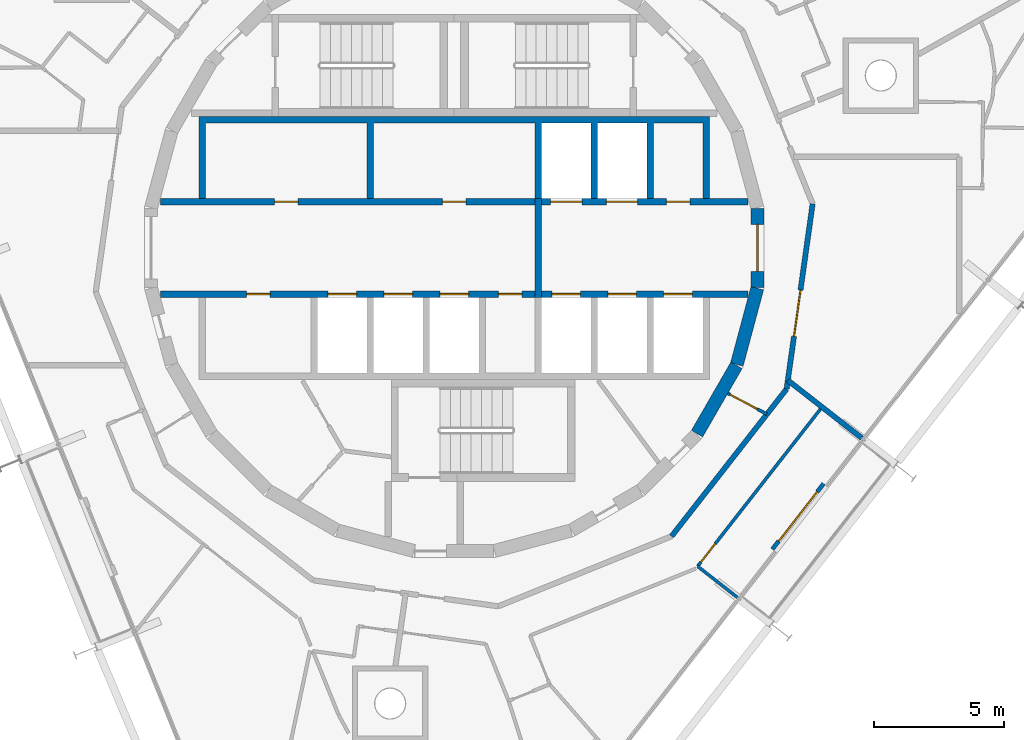
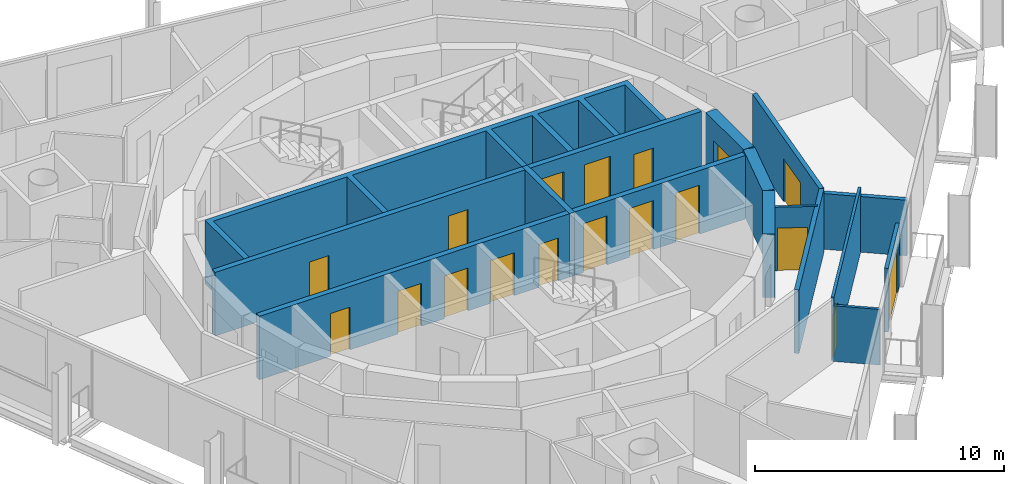
# One storey, part 11 of 15: 18 doors, 16 walls, 18 openings.
"""IFC4 building model written with IfcOpenShell, lengths in metres."""

from ifc_helpers import new_model, si_unit, direction, frame, frame_2d, origin, place, context, subcontext, project, spatial, polyline, rectangle, outline, extrude, material, layer, layer_set, type_object, element, fill, save


model = new_model("IFC4")

# Units and contexts
model_context = context("Model", 3, precision=1e-05, world=origin(), true_north=direction((0.0, 1.0)))
body_context = subcontext(model_context, "Body", "Model", "MODEL_VIEW")
ifc_project = project(units=[si_unit("LENGTHUNIT", "METRE"), si_unit("AREAUNIT", "SQUARE_METRE"), si_unit("VOLUMEUNIT", "CUBIC_METRE"), si_unit("PLANEANGLEUNIT", "RADIAN"), si_unit("MASSUNIT", "GRAM", prefix="KILO")], contexts=[model_context])

# Site, building, storey
site_placement = place(None, origin())
site = spatial("IfcSite", under=ifc_project, at=site_placement, CompositionType="ELEMENT")
building_placement = place(site_placement, origin())
building = spatial("IfcBuilding", under=site, at=building_placement, Name="Spindle Arch Residences", CompositionType="ELEMENT")
storey_placement = place(building_placement, frame((0.0, 0.0, 336.5)))
storey = spatial("IfcBuildingStorey", under=building, at=storey_placement, Name="L86", CompositionType="ELEMENT", Elevation=336.5)

# Walls
ifc_material_1 = material(Name="Concrete C50/60", Category="concrete")
ifc_layer_1 = layer(ifc_material_1, 0.5)
ifc_layer_set_1 = layer_set([ifc_layer_1], Name="Core outline wall 500")
wall_type_1 = type_object("IfcWallType", Name="Core outline wall 500", PredefinedType="SHEAR", material=ifc_layer_set_1)
for number, where, z_axis, x_axis, name in (
    (1, (9.32861328125, -7.13671875, 0.0), (0.0, 0.0, 1.0), (0.500087131594, 0.865975092491, 0.0), "Core outline wall 4"),
    (2, (10.858154296875, -4.479248046875, 0.0), (0.0, 0.0, 1.0), (0.258734743916, 0.965948410781, 0.0), "Core outline wall 5"),
):
    element("IfcWall", number, at=place(storey_placement, frame(where, z_axis=z_axis, x_axis=x_axis)), inside=storey, type_object=wall_type_1, Name=name, PredefinedType="SHEAR", context=body_context, shape_type="SweptSolid", body=[
        extrude(rectangle(XDim=3.03271484375, YDim=0.5, at=frame_2d((1.516357421875, 0.0))), origin(), (0.0, 0.0, 1.0), 3.1201171875),
    ])

# Wall, opening, door
wall_1_placement = place(storey_placement, frame((11.647216796875, -1.516357421875, 0.0), z_axis=(0.0, 0.0, 1.0), x_axis=(0.0, 1.0, 0.0)))
wall_1 = element("IfcWall", 3, at=wall_1_placement, inside=storey, type_object=wall_type_1, Name="Core outline wall 6", PredefinedType="SHEAR", context=body_context, shape_type="SweptSolid", body=[
    extrude(rectangle(XDim=3.03271484375, YDim=0.5, at=frame_2d((1.516357421875, 0.0))), origin(), (0.0, 0.0, 1.0), 3.1201171875),
])
opening_1_placement = place(wall_1_placement, frame((0.6162109375, 0.0, 0.0)))
opening_1 = element("IfcOpeningElement", 4, at=opening_1_placement, cuts=wall_1, Name="Opening R9A1-FE01", PredefinedType="OPENING", context=body_context, shape_type="SweptSolid", body=[
    extrude(rectangle(XDim=1.800048828125, YDim=2.10009765625, at=frame_2d((0.89990234375, 1.050048828125))), frame((0.0, 0.260009765625, 0.0), z_axis=(0.0, -1.0, 0.0), x_axis=(1.0, 0.0, 0.0)), (0.0, 0.0, 1.0), 0.52001953125),
])
ifc_material_2 = material(Name="Steel, fire-resisting door", Category="steel")
door_type_1 = type_object("IfcDoorType", Name="Fire-lift lobby door 1800x2100", OperationType="DOUBLE_DOOR_SINGLE_SWING", PredefinedType="DOOR", material=ifc_material_2)
door_1_placement = place(opening_1_placement, origin())
door_1 = element("IfcDoor", 5, at=door_1_placement, inside=storey, type_object=door_type_1, Name="Fire-lift lobby door R9A1-FE01", OperationType="DOUBLE_DOOR_SINGLE_SWING", OverallHeight=2.10009765625, OverallWidth=1.800048828125, PredefinedType="DOOR", context=body_context, shape_type="SweptSolid", body=[
    extrude(rectangle(XDim=1.800048828125, YDim=2.10009765625, at=frame_2d((0.89990234375, 1.050048828125))), frame((0.0, 0.02490234375, 0.0), z_axis=(0.0, -1.0, 0.0), x_axis=(1.0, 0.0, 0.0)), (0.0, 0.0, 1.0), 0.050048828125),
])
fill(opening_1, door_1)

ifc_material_3 = material(Name="Plasterboard on steel studs", Category="steel")
ifc_layer_2 = layer(ifc_material_3, 0.1201171875)
ifc_layer_set_2 = layer_set([ifc_layer_2], Name="Corridor division wall 120")
wall_type_2 = type_object("IfcWallType", Name="Corridor division wall 120", PredefinedType="PARTITIONING", material=ifc_layer_set_2)
wall_2_placement = place(storey_placement, frame((10.510986328125, -5.5888671875, 0.0), z_axis=(0.0, 0.0, 1.0), x_axis=(0.882959677414, -0.469448834337, 0.0)))
wall_2 = element("IfcWall", 6, at=wall_2_placement, inside=storey, type_object=wall_type_2, Name="Corridor division wall R9A1-W002", PredefinedType="PARTITIONING", context=body_context, shape_type="SweptSolid", body=[
    extrude(rectangle(XDim=1.7021484375, YDim=0.1201171875, at=frame_2d((0.85107421875, 0.0))), origin(), (0.0, 0.0, 1.0), 3.1201171875),
])
opening_2_placement = place(wall_2_placement, frame((0.10009765625, 0.0, 0.0)))
opening_2 = element("IfcOpeningElement", 7, at=opening_2_placement, cuts=wall_2, Name="Opening R9A1-CD02", PredefinedType="OPENING", context=body_context, shape_type="SweptSolid", body=[
    extrude(rectangle(XDim=1.199951171875, YDim=2.10009765625, at=frame_2d((0.60009765625, 1.050048828125))), frame((0.0, 0.070068359375, 0.0), z_axis=(0.0, -1.0, 0.0), x_axis=(1.0, 0.0, 0.0)), (0.0, 0.0, 1.0), 0.14013671875),
])
ifc_material_4 = material(Name="Steel, fire-resisting door", Category="steel")
door_type_2 = type_object("IfcDoorType", Name="Corridor division door 1200x2100", OperationType="NOTDEFINED", PredefinedType="DOOR", material=ifc_material_4)
door_2_placement = place(opening_2_placement, origin())
door_2 = element("IfcDoor", 8, at=door_2_placement, inside=storey, type_object=door_type_2, Name="Corridor division door R9A1-CD02", OperationType="DOUBLE_DOOR_SINGLE_SWING", OverallHeight=2.10009765625, OverallWidth=1.199951171875, PredefinedType="DOOR", context=body_context, shape_type="SweptSolid", body=[
    extrude(rectangle(XDim=1.199951171875, YDim=2.10009765625, at=frame_2d((0.60009765625, 1.050048828125))), frame((0.0, 0.02490234375, 0.0), z_axis=(0.0, -1.0, 0.0), x_axis=(1.0, 0.0, 0.0)), (0.0, 0.0, 1.0), 0.050048828125),
])
fill(opening_2, door_2)

# Wall
ifc_material_5 = material(Name="Calcium silicate block, plastered")
ifc_layer_3 = layer(ifc_material_5, 0.199951171875)
ifc_layer_set_3 = layer_set([ifc_layer_3], Name="Corridor wall 200")
wall_type_3 = type_object("IfcWallType", Name="Corridor wall 200", PredefinedType="STANDARD", material=ifc_layer_set_3)
wall_3_placement = place(storey_placement, frame((8.348876953125, -11.0791015625, 0.0), z_axis=(0.0, 0.0, 1.0), x_axis=(0.615669112324, 0.78800478687, 0.0)))
element("IfcWall", 9, at=wall_3_placement, inside=storey, type_object=wall_type_3, Name="Corridor wall R9A1-W008", PredefinedType="STANDARD", context=body_context, shape_type="SweptSolid", body=[
    extrude(rectangle(XDim=7.18115234375, YDim=0.199951171875, at=frame_2d((3.590576171875, 0.0))), origin(), (0.0, 0.0, 1.0), 3.1201171875),
])

# Wall, opening, door
ifc_material_6 = material(Name="Calcium silicate block, plastered")
ifc_layer_4 = layer(ifc_material_6, 0.199951171875)
ifc_layer_set_4 = layer_set([ifc_layer_4], Name="Fire-lift lobby bay wall 200")
wall_type_4 = type_object("IfcWallType", Name="Fire-lift lobby bay wall 200", PredefinedType="STANDARD", material=ifc_layer_set_4)
wall_4_placement = place(storey_placement, frame((12.77001953125, -5.42041015625, 0.0), z_axis=(0.0, 0.0, 1.0), x_axis=(0.139155334385, 0.990270565508, 0.0)))
wall_4 = element("IfcWall", 10, at=wall_4_placement, inside=storey, type_object=wall_type_4, Name="Fire-lift lobby bay wall R9A1-W004", PredefinedType="STANDARD", context=body_context, shape_type="SweptSolid", body=[
    extrude(rectangle(XDim=7.180908203125, YDim=0.199951171875, at=frame_2d((3.59033203125, 0.0))), origin(), (0.0, 0.0, 1.0), 3.1201171875),
])
opening_3_placement = place(wall_4_placement, frame((2.039306640625, 0.0, 0.0)))
opening_3 = element("IfcOpeningElement", 11, at=opening_3_placement, cuts=wall_4, Name="Opening R9A1-FB01", PredefinedType="OPENING", context=body_context, shape_type="SweptSolid", body=[
    extrude(rectangle(XDim=1.800048828125, YDim=2.10009765625, at=frame_2d((0.89990234375, 1.050048828125))), frame((0.0, 0.10986328125, 0.0), z_axis=(0.0, -1.0, 0.0), x_axis=(1.0, 0.0, 0.0)), (0.0, 0.0, 1.0), 0.219970703125),
])
ifc_material_7 = material(Name="Steel, fire-resisting door", Category="steel")
door_type_3 = type_object("IfcDoorType", Name="Fire-lift lobby bay door 1800x2100", OperationType="NOTDEFINED", PredefinedType="DOOR", material=ifc_material_7)
door_3_placement = place(opening_3_placement, origin())
door_3 = element("IfcDoor", 12, at=door_3_placement, inside=storey, type_object=door_type_3, Name="Fire-lift lobby bay door R9A1-FB01", OperationType="DOUBLE_DOOR_SINGLE_SWING", OverallHeight=2.10009765625, OverallWidth=1.800048828125, PredefinedType="DOOR", context=body_context, shape_type="SweptSolid", body=[
    extrude(rectangle(XDim=1.800048828125, YDim=2.10009765625, at=frame_2d((0.89990234375, 1.050048828125))), frame((0.0, 0.02490234375, 0.0), z_axis=(0.0, -1.0, 0.0), x_axis=(1.0, 0.0, 0.0)), (0.0, 0.0, 1.0), 0.050048828125),
])
fill(opening_3, door_3)

# Wall
ifc_material_8 = material(Name="Calcium silicate block, plastered")
ifc_layer_5 = layer(ifc_material_8, 0.199951171875)
ifc_layer_set_5 = layer_set([ifc_layer_5], Name="Fire-lift lobby bay wall 200 under beam 2730")
wall_type_5 = type_object("IfcWallType", Name="Fire-lift lobby bay wall 200 under beam 2730", PredefinedType="STANDARD", material=ifc_layer_set_5)
wall_5_placement = place(storey_placement, frame((12.81689453125, -5.086181640625, 0.0), z_axis=(0.0, 0.0, 1.0), x_axis=(0.787994616725, -0.615682129034, 0.0)))
element("IfcWall", 13, at=wall_5_placement, inside=storey, type_object=wall_type_5, Name="Fire-lift lobby bay wall R9A1-W021", PredefinedType="STANDARD", context=body_context, shape_type="SweptSolid", body=[
    extrude(rectangle(XDim=3.607177734375, YDim=0.199951171875, at=frame_2d((1.8037109375, 0.0))), origin(), (0.0, 0.0, 1.0), 2.72998046875),
])

# Wall, openings, doors
ifc_material_9 = material(Name="Concrete C40/50", Category="concrete")
ifc_layer_6 = layer(ifc_material_9, 0.25)
ifc_layer_set_6 = layer_set([ifc_layer_6], Name="Fire-lift lobby wall 250")
wall_type_6 = type_object("IfcWallType", Name="Fire-lift lobby wall 250", PredefinedType="SHEAR", material=ifc_layer_set_6)
wall_6_placement = place(storey_placement, frame((3.35009765625, 1.77490234375, 0.0), z_axis=(0.0, 0.0, 1.0), x_axis=(1.0, 0.0, 0.0)))
wall_6 = element("IfcWall", 14, at=wall_6_placement, inside=storey, type_object=wall_type_6, Name="Lift shaft front wall NE", PredefinedType="SHEAR", context=body_context, shape_type="SweptSolid", body=[
    extrude(rectangle(XDim=7.929931640625, YDim=0.25, at=frame_2d((3.96484375, 0.0))), origin(), (0.0, 0.0, 1.0), 3.1201171875),
])
opening_4_placement = place(wall_6_placement, frame((0.35009765625, 0.0, 0.0)))
opening_4 = element("IfcOpeningElement", 15, at=opening_4_placement, cuts=wall_6, Name="Opening R9A1-SLD01", PredefinedType="OPENING", context=body_context, shape_type="SweptSolid", body=[
    extrude(rectangle(XDim=1.199951171875, YDim=2.39990234375, at=frame_2d((0.60009765625, 1.199951171875))), frame((0.0, 0.135009765625, 0.0), z_axis=(0.0, -1.0, 0.0), x_axis=(1.0, 0.0, 0.0)), (0.0, 0.0, 1.0), 0.27001953125),
])
opening_5_placement = place(wall_6_placement, frame((2.5, 0.0, 0.0)))
opening_5 = element("IfcOpeningElement", 16, at=opening_5_placement, cuts=wall_6, Name="Opening R9A1-SLD02", PredefinedType="OPENING", context=body_context, shape_type="SweptSolid", body=[
    extrude(rectangle(XDim=1.199951171875, YDim=2.39990234375, at=frame_2d((0.60009765625, 1.199951171875))), frame((0.0, 0.135009765625, 0.0), z_axis=(0.0, -1.0, 0.0), x_axis=(1.0, 0.0, 0.0)), (0.0, 0.0, 1.0), 0.27001953125),
])
opening_6_placement = place(wall_6_placement, frame((4.800048828125, 0.0, 0.0)))
opening_6 = element("IfcOpeningElement", 17, at=opening_6_placement, cuts=wall_6, Name="Opening R9A1-WD03", PredefinedType="OPENING", context=body_context, shape_type="SweptSolid", body=[
    extrude(rectangle(XDim=0.89990234375, YDim=2.10009765625, at=frame_2d((0.449951171875, 1.050048828125))), frame((0.0, 0.135009765625, 0.0), z_axis=(0.0, -1.0, 0.0), x_axis=(1.0, 0.0, 0.0)), (0.0, 0.0, 1.0), 0.27001953125),
])
ifc_material_10 = material(Name="Steel, fire-resisting landing door", Category="steel")
door_type_4 = type_object("IfcDoorType", Name="Service lift landing door 1200x2400", OperationType="DOUBLE_DOOR_SLIDING", PredefinedType="DOOR", material=ifc_material_10)
door_4_placement = place(opening_4_placement, origin())
door_4 = element("IfcDoor", 18, at=door_4_placement, inside=storey, type_object=door_type_4, Name="Service lift landing door R9A1-SLD01", OperationType="DOUBLE_DOOR_SLIDING", OverallHeight=2.39990234375, OverallWidth=1.199951171875, PredefinedType="DOOR", context=body_context, shape_type="SweptSolid", body=[
    extrude(rectangle(XDim=1.199951171875, YDim=2.39990234375, at=frame_2d((0.60009765625, 1.199951171875))), frame((0.0, 0.02490234375, 0.0), z_axis=(0.0, -1.0, 0.0), x_axis=(1.0, 0.0, 0.0)), (0.0, 0.0, 1.0), 0.050048828125),
])
fill(opening_4, door_4)
door_5_placement = place(opening_5_placement, origin())
door_5 = element("IfcDoor", 19, at=door_5_placement, inside=storey, type_object=door_type_4, Name="Service lift landing door R9A1-SLD02", OperationType="DOUBLE_DOOR_SLIDING", OverallHeight=2.39990234375, OverallWidth=1.199951171875, PredefinedType="DOOR", context=body_context, shape_type="SweptSolid", body=[
    extrude(rectangle(XDim=1.199951171875, YDim=2.39990234375, at=frame_2d((0.60009765625, 1.199951171875))), frame((0.0, 0.02490234375, 0.0), z_axis=(0.0, -1.0, 0.0), x_axis=(1.0, 0.0, 0.0)), (0.0, 0.0, 1.0), 0.050048828125),
])
fill(opening_5, door_5)
ifc_material_11 = material(Name="Steel, fire-resisting door", Category="steel")
door_type_5 = type_object("IfcDoorType", Name="Service room door 900x2100", OperationType="SINGLE_SWING_LEFT", PredefinedType="DOOR", material=ifc_material_11)
door_6_placement = place(opening_6_placement, origin())
door_6 = element("IfcDoor", 20, at=door_6_placement, inside=storey, type_object=door_type_5, Name="Service room door R9A1-WD03", OperationType="SINGLE_SWING_LEFT", OverallHeight=2.10009765625, OverallWidth=0.89990234375, PredefinedType="DOOR", context=body_context, shape_type="SweptSolid", body=[
    extrude(rectangle(XDim=0.89990234375, YDim=2.10009765625, at=frame_2d((0.449951171875, 1.050048828125))), frame((0.0, 0.02490234375, 0.0), z_axis=(0.0, -1.0, 0.0), x_axis=(1.0, 0.0, 0.0)), (0.0, 0.0, 1.0), 0.050048828125),
])
fill(opening_6, door_6)

# Wall
wall_7_placement = place(storey_placement, frame((3.22509765625, -1.89990234375, 0.0), z_axis=(0.0, 0.0, 1.0), x_axis=(0.0, 1.0, 0.0)))
element("IfcWall", 21, at=wall_7_placement, inside=storey, type_object=wall_type_6, Name="Fire-fighting lobby partition", PredefinedType="SHEAR", context=body_context, shape_type="SweptSolid", body=[
    extrude(rectangle(XDim=3.7998046875, YDim=0.25, at=frame_2d((1.89990234375, 0.0))), origin(), (0.0, 0.0, 1.0), 3.1201171875),
])

# Wall, openings, doors
ifc_material_12 = material(Name="Concrete C50/60", Category="concrete")
ifc_layer_7 = layer(ifc_material_12, 0.25)
ifc_layer_set_7 = layer_set([ifc_layer_7], Name="Fire-lift shaft wall 250")
wall_type_7 = type_object("IfcWallType", Name="Fire-lift shaft wall 250", PredefinedType="SHEAR", material=ifc_layer_set_7)
wall_8_placement = place(storey_placement, frame((3.35009765625, -1.77490234375, 0.0), z_axis=(0.0, 0.0, 1.0), x_axis=(1.0, 0.0, 0.0)))
wall_8 = element("IfcWall", 22, at=wall_8_placement, inside=storey, type_object=wall_type_7, Name="Lift shaft front wall SE", PredefinedType="SHEAR", context=body_context, shape_type="SweptSolid", body=[
    extrude(rectangle(XDim=7.929931640625, YDim=0.25, at=frame_2d((3.96484375, 0.0))), origin(), (0.0, 0.0, 1.0), 3.1201171875),
])
opening_7_placement = place(wall_8_placement, frame((0.39990234375, 0.0, 0.0)))
opening_7 = element("IfcOpeningElement", 23, at=opening_7_placement, cuts=wall_8, Name="Opening R9A1-FLD01", PredefinedType="OPENING", context=body_context, shape_type="SweptSolid", body=[
    extrude(rectangle(XDim=1.10009765625, YDim=2.39990234375, at=frame_2d((0.550048828125, 1.199951171875))), frame((0.0, 0.135009765625, 0.0), z_axis=(0.0, -1.0, 0.0), x_axis=(1.0, 0.0, 0.0)), (0.0, 0.0, 1.0), 0.27001953125),
])
opening_8_placement = place(wall_8_placement, frame((2.550048828125, 0.0, 0.0)))
opening_8 = element("IfcOpeningElement", 24, at=opening_8_placement, cuts=wall_8, Name="Opening R9A1-FLD02", PredefinedType="OPENING", context=body_context, shape_type="SweptSolid", body=[
    extrude(rectangle(XDim=1.10009765625, YDim=2.39990234375, at=frame_2d((0.550048828125, 1.199951171875))), frame((0.0, 0.135009765625, 0.0), z_axis=(0.0, -1.0, 0.0), x_axis=(1.0, 0.0, 0.0)), (0.0, 0.0, 1.0), 0.27001953125),
])
opening_9_placement = place(wall_8_placement, frame((4.699951171875, 0.0, 0.0)))
opening_9 = element("IfcOpeningElement", 25, at=opening_9_placement, cuts=wall_8, Name="Opening R9A1-FLD03", PredefinedType="OPENING", context=body_context, shape_type="SweptSolid", body=[
    extrude(rectangle(XDim=1.10009765625, YDim=2.39990234375, at=frame_2d((0.550048828125, 1.199951171875))), frame((0.0, 0.135009765625, 0.0), z_axis=(0.0, -1.0, 0.0), x_axis=(1.0, 0.0, 0.0)), (0.0, 0.0, 1.0), 0.27001953125),
])
ifc_material_13 = material(Name="Steel, fire-resisting landing door", Category="steel")
door_type_6 = type_object("IfcDoorType", Name="Fire-fighting lift landing door 1100x2400", OperationType="DOUBLE_DOOR_SLIDING", PredefinedType="DOOR", material=ifc_material_13)
door_7_placement = place(opening_7_placement, origin())
door_7 = element("IfcDoor", 26, at=door_7_placement, inside=storey, type_object=door_type_6, Name="Fire-fighting lift landing door R9A1-FLD01", OperationType="DOUBLE_DOOR_SLIDING", OverallHeight=2.39990234375, OverallWidth=1.10009765625, PredefinedType="DOOR", context=body_context, shape_type="SweptSolid", body=[
    extrude(rectangle(XDim=1.10009765625, YDim=2.39990234375, at=frame_2d((0.550048828125, 1.199951171875))), frame((0.0, 0.02490234375, 0.0), z_axis=(0.0, -1.0, 0.0), x_axis=(1.0, 0.0, 0.0)), (0.0, 0.0, 1.0), 0.050048828125),
])
fill(opening_7, door_7)
door_8_placement = place(opening_8_placement, origin())
door_8 = element("IfcDoor", 27, at=door_8_placement, inside=storey, type_object=door_type_6, Name="Fire-fighting lift landing door R9A1-FLD02", OperationType="DOUBLE_DOOR_SLIDING", OverallHeight=2.39990234375, OverallWidth=1.10009765625, PredefinedType="DOOR", context=body_context, shape_type="SweptSolid", body=[
    extrude(rectangle(XDim=1.10009765625, YDim=2.39990234375, at=frame_2d((0.550048828125, 1.199951171875))), frame((0.0, 0.02490234375, 0.0), z_axis=(0.0, -1.0, 0.0), x_axis=(1.0, 0.0, 0.0)), (0.0, 0.0, 1.0), 0.050048828125),
])
fill(opening_8, door_8)
door_9_placement = place(opening_9_placement, origin())
door_9 = element("IfcDoor", 28, at=door_9_placement, inside=storey, type_object=door_type_6, Name="Fire-fighting lift landing door R9A1-FLD03", OperationType="DOUBLE_DOOR_SLIDING", OverallHeight=2.39990234375, OverallWidth=1.10009765625, PredefinedType="DOOR", context=body_context, shape_type="SweptSolid", body=[
    extrude(rectangle(XDim=1.10009765625, YDim=2.39990234375, at=frame_2d((0.550048828125, 1.199951171875))), frame((0.0, 0.02490234375, 0.0), z_axis=(0.0, -1.0, 0.0), x_axis=(1.0, 0.0, 0.0)), (0.0, 0.0, 1.0), 0.050048828125),
])
fill(opening_9, door_9)

# Wall, opening, door
ifc_material_14 = material(Name="Plasterboard on steel studs", Category="steel")
ifc_layer_8 = layer(ifc_material_14, 0.1201171875)
ifc_layer_set_8 = layer_set([ifc_layer_8], Name="Flat partition 120")
wall_type_8 = type_object("IfcWallType", Name="Flat partition 120", PredefinedType="PARTITIONING", material=ifc_layer_set_8)
wall_9_placement = place(storey_placement, frame((9.350830078125, -12.23291015625, 0.0), z_axis=(0.0, 0.0, 1.0), x_axis=(0.615678207218, 0.787997680933, 0.0)))
wall_9 = element("IfcWall", 29, at=wall_9_placement, inside=storey, type_object=wall_type_8, Name="Flat partition R9A1-W086", PredefinedType="PARTITIONING", context=body_context, shape_type="SweptSolid", body=[
    extrude(rectangle(XDim=7.765380859375, YDim=0.1201171875, at=frame_2d((3.8828125, 0.0))), origin(), (0.0, 0.0, 1.0), 3.1201171875),
])
opening_10_placement = place(wall_9_placement, frame((0.199951171875, 0.0, 0.0)))
opening_10 = element("IfcOpeningElement", 30, at=opening_10_placement, cuts=wall_9, Name="Opening R9A1-ID20", PredefinedType="OPENING", context=body_context, shape_type="SweptSolid", body=[
    extrude(rectangle(XDim=0.89990234375, YDim=2.10009765625, at=frame_2d((0.449951171875, 1.050048828125))), frame((0.0, 0.070068359375, 0.0), z_axis=(0.0, -1.0, 0.0), x_axis=(1.0, 0.0, 0.0)), (0.0, 0.0, 1.0), 0.14013671875),
])
ifc_material_15 = material(Name="Timber door set", Category="wood")
door_type_7 = type_object("IfcDoorType", Name="Room door 900x2100", OperationType="NOTDEFINED", PredefinedType="DOOR", material=ifc_material_15)
door_10_placement = place(opening_10_placement, origin())
door_10 = element("IfcDoor", 31, at=door_10_placement, inside=storey, type_object=door_type_7, Name="Room door R9A1-ID20", OperationType="SINGLE_SWING_LEFT", OverallHeight=2.10009765625, OverallWidth=0.89990234375, PredefinedType="DOOR", context=body_context, shape_type="SweptSolid", body=[
    extrude(rectangle(XDim=0.89990234375, YDim=2.10009765625, at=frame_2d((0.449951171875, 1.050048828125))), frame((0.0, 0.02490234375, 0.0), z_axis=(0.0, -1.0, 0.0), x_axis=(1.0, 0.0, 0.0)), (0.0, 0.0, 1.0), 0.050048828125),
])
fill(opening_10, door_10)

# Wall
ifc_material_16 = material(Name="Plasterboard on steel studs", Category="steel")
ifc_layer_9 = layer(ifc_material_16, 0.1201171875)
ifc_layer_set_9 = layer_set([ifc_layer_9], Name="Flat partition 120 under beam 2730")
wall_type_9 = type_object("IfcWallType", Name="Flat partition 120 under beam 2730", PredefinedType="PARTITIONING", material=ifc_layer_set_9)
wall_10_placement = place(storey_placement, frame((10.87841796875, -13.426513671875, 0.0), z_axis=(0.0, 0.0, 1.0), x_axis=(-0.787980458379, 0.615700249483, 0.0)))
element("IfcWall", 32, at=wall_10_placement, inside=storey, type_object=wall_type_9, Name="Flat partition R9A1-W090", PredefinedType="PARTITIONING", context=body_context, shape_type="SweptSolid", body=[
    extrude(rectangle(XDim=1.938720703125, YDim=0.1201171875, at=frame_2d((0.96923828125, 0.0))), origin(), (0.0, 0.0, 1.0), 2.72998046875),
])

# Wall, opening, door
ifc_material_17 = material(Name="Non-combustible mineral wool insulated aluminium faced external wall (K0)", Category="aluminium")
ifc_layer_10 = layer(ifc_material_17, 0.159912109375)
ifc_layer_set_10 = layer_set([ifc_layer_10], Name="Insulated external wall panel 160")
wall_type_10 = type_object("IfcWallType", Name="Insulated external wall panel 160", PredefinedType="STANDARD", material=ifc_layer_set_10)
wall_11_placement = place(storey_placement, frame((12.220703125, -11.578369140625, 0.0), z_axis=(0.0, 0.0, 1.0), x_axis=(0.615666248856, 0.788007024093, 0.0)))
wall_11 = element("IfcWall", 33, at=wall_11_placement, inside=storey, type_object=wall_type_10, Name="External wall L86 bay 20", PredefinedType="STANDARD", context=body_context, shape_type="SweptSolid", body=[
    extrude(rectangle(XDim=3.2001953125, YDim=0.159912109375, at=frame_2d((1.60009765625, 0.0))), origin(), (0.0, 0.0, 1.0), 3.1201171875),
])
opening_11_placement = place(wall_11_placement, frame((0.39990234375, 0.0, 0.0)))
opening_11 = element("IfcOpeningElement", 34, at=opening_11_placement, cuts=wall_11, Name="Opening BD20", PredefinedType="OPENING", context=body_context, shape_type="SweptSolid", body=[
    extrude(rectangle(XDim=2.39990234375, YDim=2.39990234375, at=frame_2d((1.199951171875, 1.199951171875))), frame((0.0, 0.08984375, 0.0), z_axis=(0.0, -1.0, 0.0), x_axis=(1.0, 0.0, 0.0)), (0.0, 0.0, 1.0), 0.179931640625),
])
ifc_material_18 = material(Name="Bronze aluminium frame, tinted double glazing", Category="aluminium")
door_type_8 = type_object("IfcDoorType", Name="Sliding glazed balcony door 2400x2400", OperationType="DOUBLE_DOOR_SLIDING", PredefinedType="DOOR", material=ifc_material_18)
door_11_placement = place(opening_11_placement, origin())
door_11 = element("IfcDoor", 35, at=door_11_placement, inside=storey, type_object=door_type_8, Name="Balcony door BD20", OperationType="DOUBLE_DOOR_SLIDING", OverallHeight=2.39990234375, OverallWidth=2.39990234375, PredefinedType="DOOR", context=body_context, shape_type="SweptSolid", body=[
    extrude(rectangle(XDim=2.39990234375, YDim=2.39990234375, at=frame_2d((1.199951171875, 1.199951171875))), frame((0.0, 0.02490234375, 0.0), z_axis=(0.0, -1.0, 0.0), x_axis=(1.0, 0.0, 0.0)), (0.0, 0.0, 1.0), 0.050048828125),
])
fill(opening_11, door_11)

# Wall, openings, doors
ifc_material_19 = material(Name="Concrete C50/60", Category="concrete")
ifc_layer_11 = layer(ifc_material_19, 0.25)
ifc_layer_set_11 = layer_set([ifc_layer_11], Name="Lift shaft wall 250")
wall_type_11 = type_object("IfcWallType", Name="Lift shaft wall 250", PredefinedType="SHEAR", material=ifc_layer_set_11)
wall_12_placement = place(storey_placement, frame((-11.280029296875, 1.77490234375, 0.0), z_axis=(0.0, 0.0, 1.0), x_axis=(1.0, 0.0, 0.0)))
wall_12 = element("IfcWall", 36, at=wall_12_placement, inside=storey, type_object=wall_type_11, Name="Lift shaft front wall NW", PredefinedType="SHEAR", context=body_context, shape_type="SweptSolid", body=[
    extrude(rectangle(XDim=14.380126953125, YDim=0.25, at=frame_2d((7.18994140625, 0.0))), origin(), (0.0, 0.0, 1.0), 3.1201171875),
])
opening_12_placement = place(wall_12_placement, frame((4.3798828125, 0.0, 0.0)))
opening_12 = element("IfcOpeningElement", 37, at=opening_12_placement, cuts=wall_12, Name="Opening R9A1-WD01", PredefinedType="OPENING", context=body_context, shape_type="SweptSolid", body=[
    extrude(rectangle(XDim=0.89990234375, YDim=2.10009765625, at=frame_2d((0.449951171875, 1.050048828125))), frame((0.0, 0.135009765625, 0.0), z_axis=(0.0, -1.0, 0.0), x_axis=(1.0, 0.0, 0.0)), (0.0, 0.0, 1.0), 0.27001953125),
])
opening_13_placement = place(wall_12_placement, frame((10.830078125, 0.0, 0.0)))
opening_13 = element("IfcOpeningElement", 38, at=opening_13_placement, cuts=wall_12, Name="Opening R9A1-WD02", PredefinedType="OPENING", context=body_context, shape_type="SweptSolid", body=[
    extrude(rectangle(XDim=0.89990234375, YDim=2.10009765625, at=frame_2d((0.449951171875, 1.050048828125))), frame((0.0, 0.135009765625, 0.0), z_axis=(0.0, -1.0, 0.0), x_axis=(1.0, 0.0, 0.0)), (0.0, 0.0, 1.0), 0.27001953125),
])
door_12_placement = place(opening_12_placement, origin())
door_12 = element("IfcDoor", 39, at=door_12_placement, inside=storey, type_object=door_type_5, Name="Service room door R9A1-WD01", OperationType="SINGLE_SWING_LEFT", OverallHeight=2.10009765625, OverallWidth=0.89990234375, PredefinedType="DOOR", context=body_context, shape_type="SweptSolid", body=[
    extrude(rectangle(XDim=0.89990234375, YDim=2.10009765625, at=frame_2d((0.449951171875, 1.050048828125))), frame((0.0, 0.02490234375, 0.0), z_axis=(0.0, -1.0, 0.0), x_axis=(1.0, 0.0, 0.0)), (0.0, 0.0, 1.0), 0.050048828125),
])
fill(opening_12, door_12)
door_13_placement = place(opening_13_placement, origin())
door_13 = element("IfcDoor", 40, at=door_13_placement, inside=storey, type_object=door_type_5, Name="Service room door R9A1-WD02", OperationType="SINGLE_SWING_RIGHT", OverallHeight=2.10009765625, OverallWidth=0.89990234375, PredefinedType="DOOR", context=body_context, shape_type="SweptSolid", body=[
    extrude(rectangle(XDim=0.89990234375, YDim=2.10009765625, at=frame_2d((0.449951171875, 1.050048828125))), frame((0.0, 0.02490234375, 0.0), z_axis=(0.0, -1.0, 0.0), x_axis=(1.0, 0.0, 0.0)), (0.0, 0.0, 1.0), 0.050048828125),
])
fill(opening_13, door_13)

wall_13_placement = place(storey_placement, frame((-11.280029296875, -1.77490234375, 0.0), z_axis=(0.0, 0.0, 1.0), x_axis=(1.0, 0.0, 0.0)))
wall_13 = element("IfcWall", 41, at=wall_13_placement, inside=storey, type_object=wall_type_11, Name="Lift shaft front wall SW", PredefinedType="SHEAR", context=body_context, shape_type="SweptSolid", body=[
    extrude(rectangle(XDim=14.380126953125, YDim=0.25, at=frame_2d((7.18994140625, 0.0))), origin(), (0.0, 0.0, 1.0), 3.1201171875),
])
opening_14_placement = place(wall_13_placement, frame((6.429931640625, 0.0, 0.0)))
opening_14 = element("IfcOpeningElement", 42, at=opening_14_placement, cuts=wall_13, Name="Opening R9A1-LD01", PredefinedType="OPENING", context=body_context, shape_type="SweptSolid", body=[
    extrude(rectangle(XDim=1.10009765625, YDim=2.10009765625, at=frame_2d((0.550048828125, 1.050048828125))), frame((0.0, 0.135009765625, 0.0), z_axis=(0.0, -1.0, 0.0), x_axis=(1.0, 0.0, 0.0)), (0.0, 0.0, 1.0), 0.27001953125),
])
opening_15_placement = place(wall_13_placement, frame((8.580078125, 0.0, 0.0)))
opening_15 = element("IfcOpeningElement", 43, at=opening_15_placement, cuts=wall_13, Name="Opening R9A1-LD02", PredefinedType="OPENING", context=body_context, shape_type="SweptSolid", body=[
    extrude(rectangle(XDim=1.10009765625, YDim=2.10009765625, at=frame_2d((0.550048828125, 1.050048828125))), frame((0.0, 0.135009765625, 0.0), z_axis=(0.0, -1.0, 0.0), x_axis=(1.0, 0.0, 0.0)), (0.0, 0.0, 1.0), 0.27001953125),
])
opening_16_placement = place(wall_13_placement, frame((10.72998046875, 0.0, 0.0)))
opening_16 = element("IfcOpeningElement", 44, at=opening_16_placement, cuts=wall_13, Name="Opening R9A1-LD03", PredefinedType="OPENING", context=body_context, shape_type="SweptSolid", body=[
    extrude(rectangle(XDim=1.10009765625, YDim=2.10009765625, at=frame_2d((0.550048828125, 1.050048828125))), frame((0.0, 0.135009765625, 0.0), z_axis=(0.0, -1.0, 0.0), x_axis=(1.0, 0.0, 0.0)), (0.0, 0.0, 1.0), 0.27001953125),
])
opening_17_placement = place(wall_13_placement, frame((3.304931640625, 0.0, 0.0)))
opening_17 = element("IfcOpeningElement", 45, at=opening_17_placement, cuts=wall_13, Name="Opening R9A1-WD04", PredefinedType="OPENING", context=body_context, shape_type="SweptSolid", body=[
    extrude(rectangle(XDim=0.89990234375, YDim=2.10009765625, at=frame_2d((0.449951171875, 1.050048828125))), frame((0.0, 0.135009765625, 0.0), z_axis=(0.0, -1.0, 0.0), x_axis=(1.0, 0.0, 0.0)), (0.0, 0.0, 1.0), 0.27001953125),
])
opening_18_placement = place(wall_13_placement, frame((12.97998046875, 0.0, 0.0)))
opening_18 = element("IfcOpeningElement", 46, at=opening_18_placement, cuts=wall_13, Name="Opening R9A1-WD05", PredefinedType="OPENING", context=body_context, shape_type="SweptSolid", body=[
    extrude(rectangle(XDim=0.89990234375, YDim=2.10009765625, at=frame_2d((0.449951171875, 1.050048828125))), frame((0.0, 0.135009765625, 0.0), z_axis=(0.0, -1.0, 0.0), x_axis=(1.0, 0.0, 0.0)), (0.0, 0.0, 1.0), 0.27001953125),
])
ifc_material_20 = material(Name="Steel, fire-resisting landing door", Category="steel")
door_type_9 = type_object("IfcDoorType", Name="Lift landing door 1100x2100", OperationType="DOUBLE_DOOR_SLIDING", PredefinedType="DOOR", material=ifc_material_20)
door_14_placement = place(opening_14_placement, origin())
door_14 = element("IfcDoor", 47, at=door_14_placement, inside=storey, type_object=door_type_9, Name="Lift landing door R9A1-LD01", OperationType="DOUBLE_DOOR_SLIDING", OverallHeight=2.10009765625, OverallWidth=1.10009765625, PredefinedType="DOOR", context=body_context, shape_type="SweptSolid", body=[
    extrude(rectangle(XDim=1.10009765625, YDim=2.10009765625, at=frame_2d((0.550048828125, 1.050048828125))), frame((0.0, 0.02490234375, 0.0), z_axis=(0.0, -1.0, 0.0), x_axis=(1.0, 0.0, 0.0)), (0.0, 0.0, 1.0), 0.050048828125),
])
fill(opening_14, door_14)
door_15_placement = place(opening_15_placement, origin())
door_15 = element("IfcDoor", 48, at=door_15_placement, inside=storey, type_object=door_type_9, Name="Lift landing door R9A1-LD02", OperationType="DOUBLE_DOOR_SLIDING", OverallHeight=2.10009765625, OverallWidth=1.10009765625, PredefinedType="DOOR", context=body_context, shape_type="SweptSolid", body=[
    extrude(rectangle(XDim=1.10009765625, YDim=2.10009765625, at=frame_2d((0.550048828125, 1.050048828125))), frame((0.0, 0.02490234375, 0.0), z_axis=(0.0, -1.0, 0.0), x_axis=(1.0, 0.0, 0.0)), (0.0, 0.0, 1.0), 0.050048828125),
])
fill(opening_15, door_15)
door_16_placement = place(opening_16_placement, origin())
door_16 = element("IfcDoor", 49, at=door_16_placement, inside=storey, type_object=door_type_9, Name="Lift landing door R9A1-LD03", OperationType="DOUBLE_DOOR_SLIDING", OverallHeight=2.10009765625, OverallWidth=1.10009765625, PredefinedType="DOOR", context=body_context, shape_type="SweptSolid", body=[
    extrude(rectangle(XDim=1.10009765625, YDim=2.10009765625, at=frame_2d((0.550048828125, 1.050048828125))), frame((0.0, 0.02490234375, 0.0), z_axis=(0.0, -1.0, 0.0), x_axis=(1.0, 0.0, 0.0)), (0.0, 0.0, 1.0), 0.050048828125),
])
fill(opening_16, door_16)
door_17_placement = place(opening_17_placement, origin())
door_17 = element("IfcDoor", 50, at=door_17_placement, inside=storey, type_object=door_type_5, Name="Service room door R9A1-WD04", OperationType="SINGLE_SWING_RIGHT", OverallHeight=2.10009765625, OverallWidth=0.89990234375, PredefinedType="DOOR", context=body_context, shape_type="SweptSolid", body=[
    extrude(rectangle(XDim=0.89990234375, YDim=2.10009765625, at=frame_2d((0.449951171875, 1.050048828125))), frame((0.0, 0.02490234375, 0.0), z_axis=(0.0, -1.0, 0.0), x_axis=(1.0, 0.0, 0.0)), (0.0, 0.0, 1.0), 0.050048828125),
])
fill(opening_17, door_17)
door_18_placement = place(opening_18_placement, origin())
door_18 = element("IfcDoor", 51, at=door_18_placement, inside=storey, type_object=door_type_5, Name="Service room door R9A1-WD05", OperationType="SINGLE_SWING_LEFT", OverallHeight=2.10009765625, OverallWidth=0.89990234375, PredefinedType="DOOR", context=body_context, shape_type="SweptSolid", body=[
    extrude(rectangle(XDim=0.89990234375, YDim=2.10009765625, at=frame_2d((0.449951171875, 1.050048828125))), frame((0.0, 0.02490234375, 0.0), z_axis=(0.0, -1.0, 0.0), x_axis=(1.0, 0.0, 0.0)), (0.0, 0.0, 1.0), 0.050048828125),
])
fill(opening_18, door_18)

# Wall
ifc_material_21 = material(Name="Concrete C50/60", Category="concrete")
wall_type_12 = type_object("IfcWallType", Name="Lift shaft wall profile", PredefinedType="SHEAR", material=ifc_material_21)
wall_14_placement = place(storey_placement, origin())
element("IfcWall", 52, at=wall_14_placement, inside=storey, type_object=wall_type_12, Name="Lift shaft walls N", PredefinedType="SHEAR", context=body_context, shape_type="SweptSolid", body=[
    extrude(outline(polyline([(-9.800048828125, 1.89990234375), (-9.550048828125, 1.89990234375), (-9.550048828125, 4.800048828125), (-3.35009765625, 4.800048828125), (-3.35009765625, 1.89990234375), (-3.10009765625, 1.89990234375), (-3.10009765625, 4.800048828125), (3.10009765625, 4.800048828125), (3.10009765625, 1.89990234375), (3.35009765625, 1.89990234375), (3.35009765625, 4.800048828125), (5.25, 4.800048828125), (5.25, 1.89990234375), (5.5, 1.89990234375), (5.5, 4.800048828125), (7.39990234375, 4.800048828125), (7.39990234375, 1.89990234375), (7.64990234375, 1.89990234375), (7.64990234375, 4.800048828125), (9.550048828125, 4.800048828125), (9.550048828125, 1.89990234375), (9.800048828125, 1.89990234375), (9.800048828125, 4.800048828125), (9.800048828125, 5.050048828125), (-9.800048828125, 5.050048828125), (-9.800048828125, 4.800048828125), (-9.800048828125, 1.89990234375)])), origin(), (0.0, 0.0, 1.0), 3.1201171875),
])

save(model, "model.ifc")
